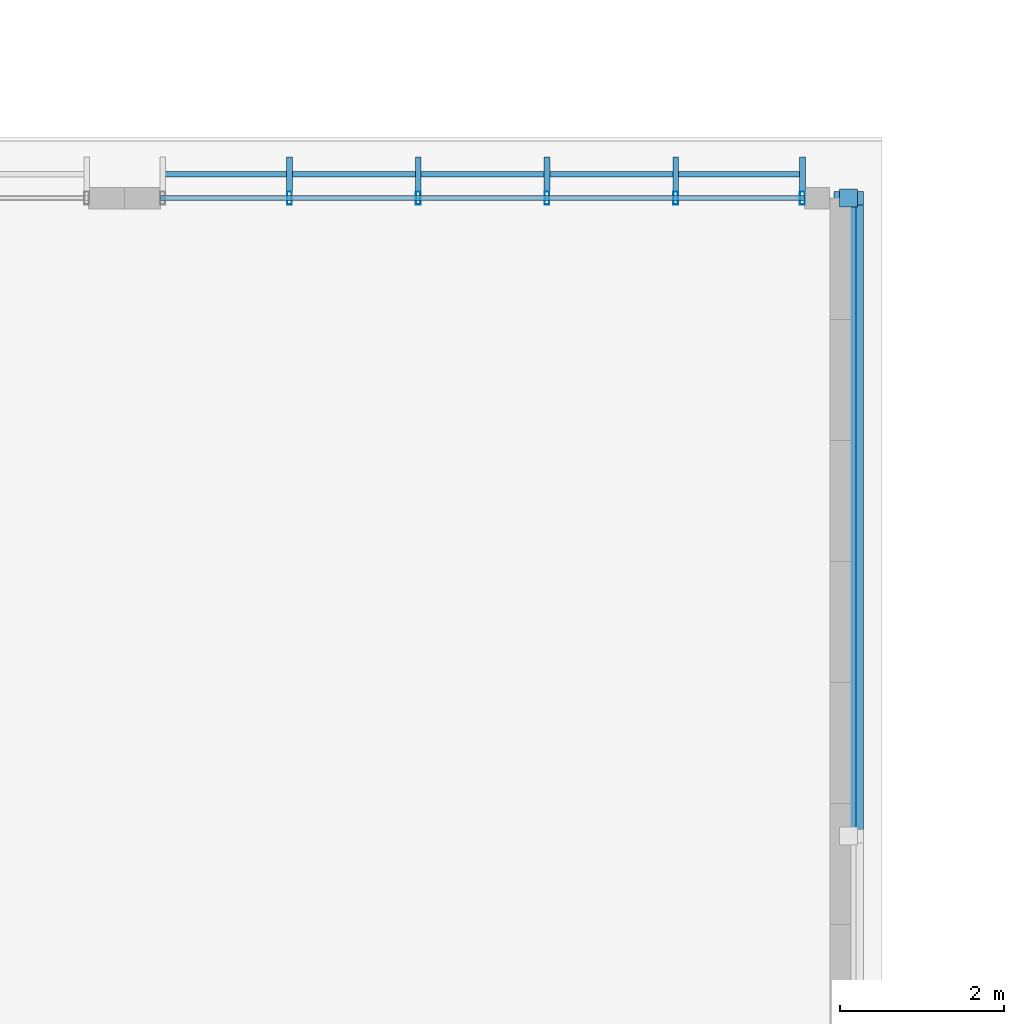
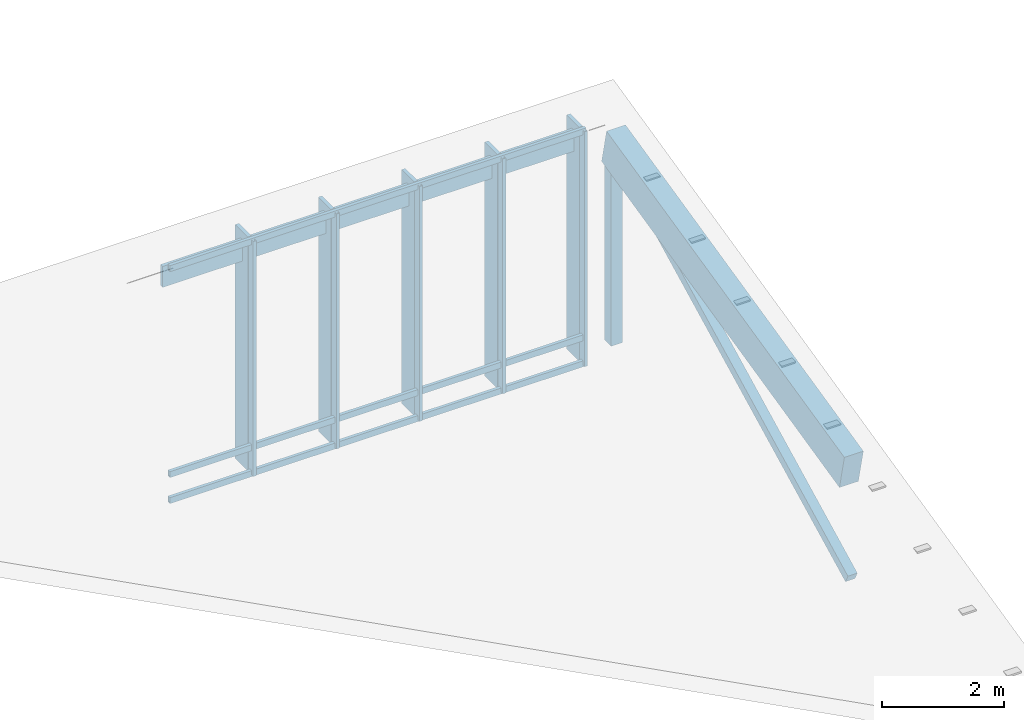
# One storey, part 64 of 182: 17 members, 1 element without a shape of its own.
"""IFC4 building model written with IfcOpenShell, lengths in metres."""

from ifc_helpers import new_model, si_unit, direction, frame, origin, origin_2d, place, context, subcontext, project, spatial, rectangle, hollow_rectangle, extrude, material, material_profile, profile_set, type_object, element, aggregate, save


model = new_model("IFC4")

# Units and contexts
model_context = context("Model", 3, precision=1e-05, world=origin(), true_north=direction((0.0, 1.0)))
body_context = subcontext(model_context, "Body", "Model", "MODEL_VIEW")
ifc_project = project(units=[si_unit("LENGTHUNIT", "METRE"), si_unit("AREAUNIT", "SQUARE_METRE"), si_unit("VOLUMEUNIT", "CUBIC_METRE"), si_unit("PLANEANGLEUNIT", "RADIAN"), si_unit("MASSUNIT", "GRAM", prefix="KILO")], contexts=[model_context])

# Site, building, storey
site_placement = place(None, origin())
site = spatial("IfcSite", under=ifc_project, at=site_placement, CompositionType="ELEMENT")
building_placement = place(site_placement, origin())
building = spatial("IfcBuilding", under=site, at=building_placement, Name="Chiffa Square Polytechnic", CompositionType="ELEMENT")
storey_placement = place(building_placement, frame((0.0, 0.0, 9.60009765625)))
storey = spatial("IfcBuildingStorey", under=building, at=storey_placement, Name="L02", CompositionType="ELEMENT", Elevation=9.60009765625)

# Curtain wall, members
ifc_material_1 = material(Name="Aluminium EN AW-6060 T66 and glulam shading", Category="wood")
curtain_wall_type = type_object("IfcCurtainWallType", Name="CW-VERT-450X440", PredefinedType="USERDEFINED", material=ifc_material_1)
curtain_wall_placement = place(storey_placement, origin())
curtain_wall = element("IfcCurtainWall", 1, at=curtain_wall_placement, inside=storey, type_object=curtain_wall_type, Name="Curtain wall CW-V4-CLRN-07", ObjectType="CURTAIN WALL", PredefinedType="USERDEFINED")
ifc_material_2 = material(Name="Aluminium EN AW-6060 T66", Category="aluminium")
ifc_material_profile_1 = material_profile(ifc_material_2, hollow_rectangle(XDim=0.06005859375, YDim=0.159912109375, WallThickness=0.00390625, at=origin_2d()), Name="ALU 60x160x4")
ifc_profile_set_1 = profile_set([ifc_material_profile_1], Name="Aluminium EN AW-6060 T66")
member_type_1 = type_object("IfcMemberType", Name="CWM-ALU-65X150", PredefinedType="MULLION", material=ifc_profile_set_1)
member_1_placement = place(storey_placement, frame((110.885009765625, 43.800048828125, 0.039794921875), z_axis=(0.0, 0.0, 1.0), x_axis=(1.0, 0.0, 0.0)))
member_1 = element("IfcMember", 2, at=member_1_placement, type_object=member_type_1, Name="Curtain wall mullion CW-V4-CLRN-07-M00", PredefinedType="MULLION", context=body_context, shape_type="SweptSolid", body=[
    extrude(hollow_rectangle(XDim=0.06005859375, YDim=0.159912109375, WallThickness=0.00390625, at=origin_2d()), origin(), (0.0, 0.0, 1.0), 4.703125),
])
member_2_placement = place(storey_placement, frame((109.3359375, 43.800048828125, 0.039794921875), z_axis=(0.0, 0.0, 1.0), x_axis=(1.0, 0.0, 0.0)))
member_2 = element("IfcMember", 3, at=member_2_placement, type_object=member_type_1, Name="Curtain wall mullion CW-V4-CLRN-07-M01", PredefinedType="MULLION", context=body_context, shape_type="SweptSolid", body=[
    extrude(hollow_rectangle(XDim=0.06005859375, YDim=0.159912109375, WallThickness=0.00390625, at=origin_2d()), origin(), (0.0, 0.0, 1.0), 4.703125),
])
member_3_placement = place(storey_placement, frame((107.761962890625, 43.800048828125, 0.039794921875), z_axis=(0.0, 0.0, 1.0), x_axis=(1.0, 0.0, 0.0)))
member_3 = element("IfcMember", 4, at=member_3_placement, type_object=member_type_1, Name="Curtain wall mullion CW-V4-CLRN-07-M02", PredefinedType="MULLION", context=body_context, shape_type="SweptSolid", body=[
    extrude(hollow_rectangle(XDim=0.06005859375, YDim=0.159912109375, WallThickness=0.00390625, at=origin_2d()), origin(), (0.0, 0.0, 1.0), 4.703125),
])
member_4_placement = place(storey_placement, frame((106.18798828125, 43.800048828125, 0.039794921875), z_axis=(0.0, 0.0, 1.0), x_axis=(1.0, 0.0, 0.0)))
member_4 = element("IfcMember", 5, at=member_4_placement, type_object=member_type_1, Name="Curtain wall mullion CW-V4-CLRN-07-M03", PredefinedType="MULLION", context=body_context, shape_type="SweptSolid", body=[
    extrude(hollow_rectangle(XDim=0.06005859375, YDim=0.159912109375, WallThickness=0.00390625, at=origin_2d()), origin(), (0.0, 0.0, 1.0), 4.703125),
])
member_5_placement = place(storey_placement, frame((104.614013671875, 43.800048828125, 0.039794921875), z_axis=(0.0, 0.0, 1.0), x_axis=(1.0, 0.0, 0.0)))
member_5 = element("IfcMember", 6, at=member_5_placement, type_object=member_type_1, Name="Curtain wall mullion CW-V4-CLRN-07-M04", PredefinedType="MULLION", context=body_context, shape_type="SweptSolid", body=[
    extrude(hollow_rectangle(XDim=0.06005859375, YDim=0.159912109375, WallThickness=0.00390625, at=origin_2d()), origin(), (0.0, 0.0, 1.0), 4.703125),
])
ifc_material_3 = material(Name="Glulam GL28h", Category="wood")
ifc_material_profile_2 = material_profile(ifc_material_3, rectangle(XDim=0.070068359375, YDim=0.419921875, at=origin_2d()), Name="GL28h 70x420")
ifc_profile_set_2 = profile_set([ifc_material_profile_2], Name="Glulam GL28h")
member_type_2 = type_object("IfcMemberType", Name="CWM-GL-70X420", PredefinedType="MULLION", material=ifc_profile_set_2)
member_6_placement = place(storey_placement, frame((110.885009765625, 44.092041015625, 0.0498046875), z_axis=(0.0, 0.0, 1.0), x_axis=(-1.0, 0.0, 0.0)))
member_6 = element("IfcMember", 7, at=member_6_placement, type_object=member_type_2, Name="Exterior glulam solar fin CW-V4-CLRN-07-FN00", PredefinedType="MULLION", context=body_context, shape_type="SweptSolid", body=[
    extrude(rectangle(XDim=0.070068359375, YDim=0.419921875, at=origin_2d()), origin(), (0.0, 0.0, 1.0), 4.68310546875),
])
member_7_placement = place(storey_placement, frame((109.3359375, 44.092041015625, 0.0498046875), z_axis=(0.0, 0.0, 1.0), x_axis=(-1.0, 0.0, 0.0)))
member_7 = element("IfcMember", 8, at=member_7_placement, type_object=member_type_2, Name="Exterior glulam solar fin CW-V4-CLRN-07-FN01", PredefinedType="MULLION", context=body_context, shape_type="SweptSolid", body=[
    extrude(rectangle(XDim=0.070068359375, YDim=0.419921875, at=origin_2d()), origin(), (0.0, 0.0, 1.0), 4.68310546875),
])
member_8_placement = place(storey_placement, frame((107.761962890625, 44.092041015625, 0.0498046875), z_axis=(0.0, 0.0, 1.0), x_axis=(-1.0, 0.0, 0.0)))
member_8 = element("IfcMember", 9, at=member_8_placement, type_object=member_type_2, Name="Exterior glulam solar fin CW-V4-CLRN-07-FN02", PredefinedType="MULLION", context=body_context, shape_type="SweptSolid", body=[
    extrude(rectangle(XDim=0.070068359375, YDim=0.419921875, at=origin_2d()), origin(), (0.0, 0.0, 1.0), 4.68310546875),
])
member_9_placement = place(storey_placement, frame((106.18798828125, 44.092041015625, 0.0498046875), z_axis=(0.0, 0.0, 1.0), x_axis=(-1.0, 0.0, 0.0)))
member_9 = element("IfcMember", 10, at=member_9_placement, type_object=member_type_2, Name="Exterior glulam solar fin CW-V4-CLRN-07-FN03", PredefinedType="MULLION", context=body_context, shape_type="SweptSolid", body=[
    extrude(rectangle(XDim=0.070068359375, YDim=0.419921875, at=origin_2d()), origin(), (0.0, 0.0, 1.0), 4.68310546875),
])
member_10_placement = place(storey_placement, frame((104.614013671875, 44.092041015625, 0.0498046875), z_axis=(0.0, 0.0, 1.0), x_axis=(-1.0, 0.0, 0.0)))
member_10 = element("IfcMember", 11, at=member_10_placement, type_object=member_type_2, Name="Exterior glulam solar fin CW-V4-CLRN-07-FN04", PredefinedType="MULLION", context=body_context, shape_type="SweptSolid", body=[
    extrude(rectangle(XDim=0.070068359375, YDim=0.419921875, at=origin_2d()), origin(), (0.0, 0.0, 1.0), 4.68310546875),
])
ifc_material_profile_3 = material_profile(ifc_material_2, hollow_rectangle(XDim=0.06005859375, YDim=0.1201171875, WallThickness=0.00390625, at=origin_2d()), Name="ALU 60x120x4")
ifc_profile_set_3 = profile_set([ifc_material_profile_3], Name="Aluminium EN AW-6060 T66")
member_type_3 = type_object("IfcMemberType", Name="CWT-ALU-65X120", PredefinedType="USERDEFINED", material=ifc_profile_set_3)
member_11_placement = place(storey_placement, frame((110.912109375, 43.800048828125, 0.06982421875), z_axis=(-1.0, 0.0, 0.0), x_axis=(0.0, -1.0, 0.0)))
member_11 = element("IfcMember", 12, at=member_11_placement, type_object=member_type_3, Name="Curtain wall transom CW-V4-CLRN-07-T01", ObjectType="TRANSOM", PredefinedType="USERDEFINED", context=body_context, shape_type="SweptSolid", body=[
    extrude(hollow_rectangle(XDim=0.06005859375, YDim=0.1201171875, WallThickness=0.00390625, at=origin_2d()), origin(), (0.0, 0.0, 1.0), 7.8740234375),
])
member_12_placement = place(storey_placement, frame((110.912109375, 43.800048828125, 0.58984375), z_axis=(-1.0, 0.0, 0.0), x_axis=(0.0, -1.0, 0.0)))
member_12 = element("IfcMember", 13, at=member_12_placement, type_object=member_type_3, Name="Curtain wall transom CW-V4-CLRN-07-T02", ObjectType="TRANSOM", PredefinedType="USERDEFINED", context=body_context, shape_type="SweptSolid", body=[
    extrude(hollow_rectangle(XDim=0.06005859375, YDim=0.1201171875, WallThickness=0.00390625, at=origin_2d()), origin(), (0.0, 0.0, 1.0), 7.8740234375),
])
member_13_placement = place(storey_placement, frame((110.912109375, 43.800048828125, 4.712890625), z_axis=(-1.0, 0.0, 0.0), x_axis=(0.0, -1.0, 0.0)))
member_13 = element("IfcMember", 14, at=member_13_placement, type_object=member_type_3, Name="Curtain wall transom CW-V4-CLRN-07-T03", ObjectType="TRANSOM", PredefinedType="USERDEFINED", context=body_context, shape_type="SweptSolid", body=[
    extrude(hollow_rectangle(XDim=0.06005859375, YDim=0.1201171875, WallThickness=0.00390625, at=origin_2d()), origin(), (0.0, 0.0, 1.0), 7.8740234375),
])
ifc_material_profile_4 = material_profile(ifc_material_3, rectangle(XDim=0.070068359375, YDim=0.419921875, at=origin_2d()), Name="GL28h 70x420")
ifc_profile_set_4 = profile_set([ifc_material_profile_4], Name="Glulam GL28h")
member_type_4 = type_object("IfcMemberType", Name="CWT-GL-70X420", PredefinedType="USERDEFINED", material=ifc_profile_set_4)
member_14_placement = place(storey_placement, frame((110.885009765625, 44.092041015625, 4.36279296875), z_axis=(-1.0, 0.0, 0.0), x_axis=(0.0, -1.0, 0.0)))
member_14 = element("IfcMember", 15, at=member_14_placement, type_object=member_type_4, Name="Exterior glulam brise-soleil CW-V4-CLRN-07-BS01", ObjectType="TRANSOM", PredefinedType="USERDEFINED", context=body_context, shape_type="SweptSolid", body=[
    extrude(rectangle(XDim=0.070068359375, YDim=0.419921875, at=origin_2d()), origin(), (0.0, 0.0, 1.0), 7.820068359375),
])
aggregate(curtain_wall, [member_1, member_6, member_2, member_7, member_3, member_8, member_4, member_9, member_5, member_10, member_11, member_12, member_13, member_14])

# Members
ifc_material_4 = material(Name="Glulam GL32c", Category="wood")
ifc_material_profile_5 = material_profile(ifc_material_4, rectangle(XDim=0.360107421875, YDim=0.719970703125, at=origin_2d()), Name="GL32c 360x720")
ifc_profile_set_5 = profile_set([ifc_material_profile_5], Name="Glulam GL32c")
member_type_5 = type_object("IfcMemberType", Name="MEM-CHORD-GL360", PredefinedType="CHORD", material=ifc_profile_set_5)
member_15_placement = place(storey_placement, frame((111.449951171875, 36.0, 2.4619140625), z_axis=(0.0, 0.974363432154, 0.224979781495), x_axis=(-1.0, 0.0, 0.0)))
element("IfcMember", 16, at=member_15_placement, inside=storey, type_object=member_type_5, Name="Refectory butterfly top chord TCT-V4-N08-2", PredefinedType="CHORD", context=body_context, shape_type="SweptSolid", body=[
    extrude(rectangle(XDim=0.360107421875, YDim=0.719970703125, at=origin_2d()), origin(), (0.0, 0.0, 1.0), 8.00537109375),
])
ifc_material_profile_6 = material_profile(ifc_material_3, rectangle(XDim=0.179931640625, YDim=0.179931640625, at=origin_2d()), Name="GL28h 180x180")
ifc_profile_set_6 = profile_set([ifc_material_profile_6], Name="Glulam GL28h")
member_type_6 = type_object("IfcMemberType", Name="MEM-WEB-GL180", PredefinedType="MEMBER", material=ifc_profile_set_6)
member_16_placement = place(storey_placement, frame((111.449951171875, 36.0, 0.2998046875), z_axis=(0.0, 0.891523242237, 0.452974953558), x_axis=(-1.0, 0.0, 0.0)))
element("IfcMember", 17, at=member_16_placement, inside=storey, type_object=member_type_6, Name="Refectory butterfly diagonal TWD-V4-N08-2", PredefinedType="MEMBER", context=body_context, shape_type="SweptSolid", body=[
    extrude(rectangle(XDim=0.179931640625, YDim=0.179931640625, at=origin_2d()), origin(), (0.0, 0.0, 1.0), 8.7490234375),
])
ifc_material_profile_7 = material_profile(ifc_material_3, rectangle(XDim=0.219970703125, YDim=0.219970703125, at=origin_2d()), Name="GL28h 220x220")
ifc_profile_set_7 = profile_set([ifc_material_profile_7], Name="Glulam GL28h")
member_type_7 = type_object("IfcMemberType", Name="MEM-WEB-GL220", PredefinedType="MEMBER", material=ifc_profile_set_7)
member_17_placement = place(storey_placement, frame((111.449951171875, 43.800048828125, 0.2998046875), z_axis=(0.0, 0.0, 1.0), x_axis=(1.0, 0.0, 0.0)))
element("IfcMember", 18, at=member_17_placement, inside=storey, type_object=member_type_7, Name="Refectory butterfly eave vertical TWV-V4-N08-E", PredefinedType="MEMBER", context=body_context, shape_type="SweptSolid", body=[
    extrude(rectangle(XDim=0.219970703125, YDim=0.219970703125, at=origin_2d()), origin(), (0.0, 0.0, 1.0), 3.963134765625),
])

save(model, "model.ifc")
